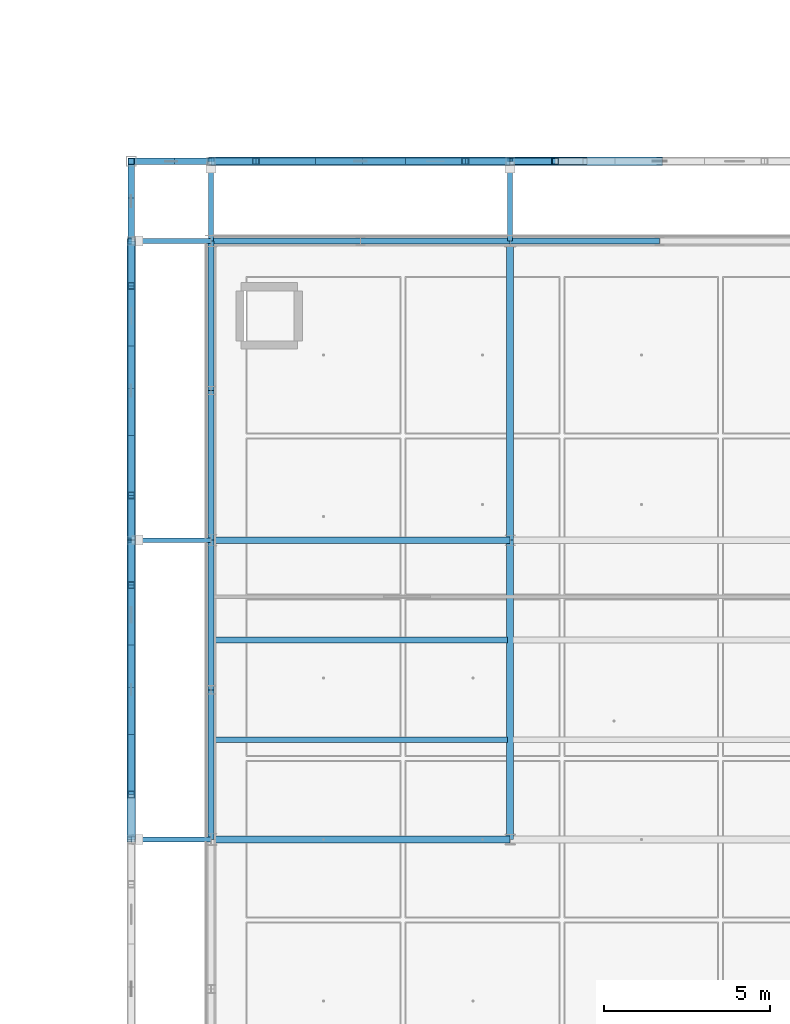
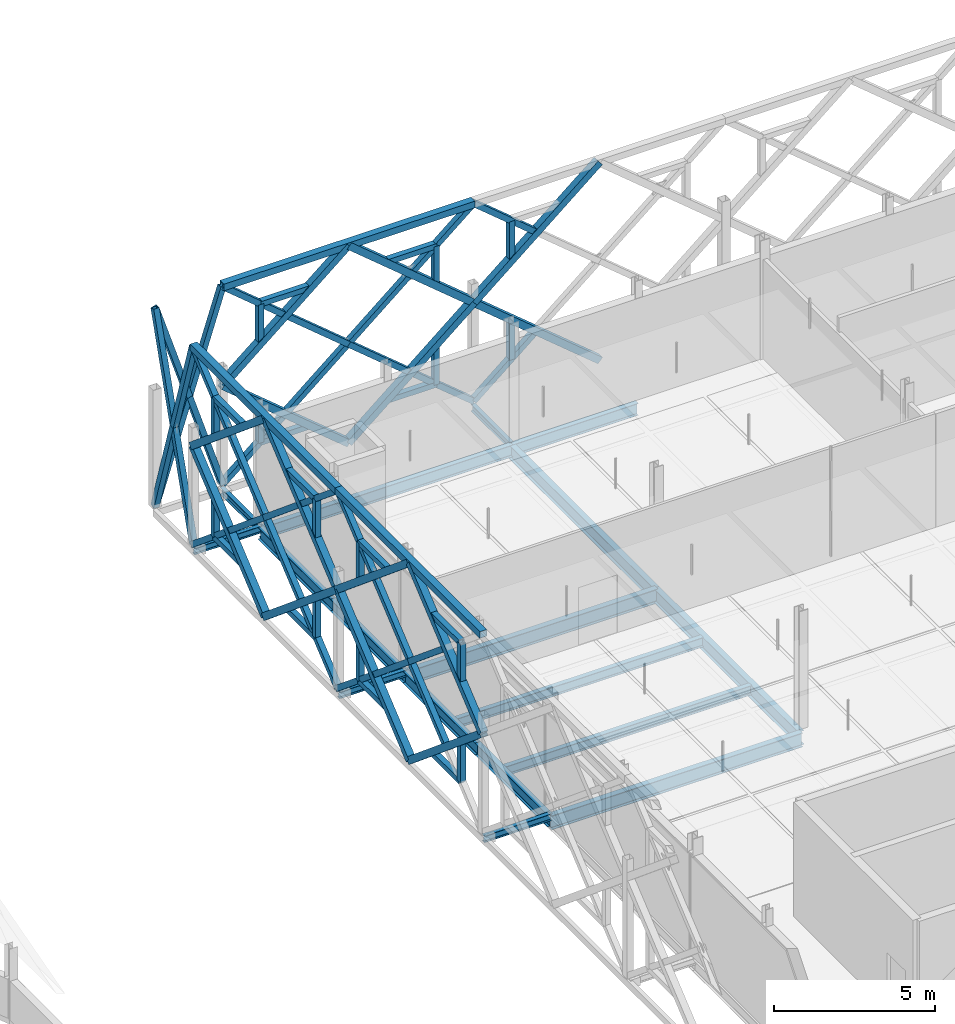
# One storey, part 14 of 66: 70 members, 18 beams.
"""IFC4 building model written with IfcOpenShell, lengths in metres."""

import ifcopenshell
import ifcopenshell.guid

model = None  # the IFC model being written
_history = None  # IfcOwnerHistory: only IFC2X3 demands one
_inside = {}  # id of a spatial element -> (the spatial element, [elements in it])
_under = {}  # id of a project, library or spatial element -> (it, [spatial elements below it])
_declared = {}  # id of a project -> (the project, [libraries it declares])
_typed = {}  # id of a type object -> (the type object, [elements of that type])
_made_of = {}  # id of a material, layer set ... -> (it, [elements and type objects made of it])


def new_model(schema):
    """Start an empty IFC model of exactly this schema.

    Asked for "IFC4X3", IfcOpenShell would pick the latest addendum, in which some entities
    have other attributes; the version numbers below select the first issue.
    IFC2X3 requires an IfcOwnerHistory on every rooted entity: one is made here for all.
    """
    global model, _history
    if schema == "IFC4X3":
        model = ifcopenshell.file(schema_version=(4, 3, 0, 0))
    else:
        model = ifcopenshell.file(schema=schema)
    _inside.clear()
    _under.clear()
    _declared.clear()
    _typed.clear()
    _made_of.clear()
    _history = None
    if model.schema == "IFC2X3":
        org = make("IfcOrganization", Name="unknown")
        user = make(
            "IfcPersonAndOrganization",
            ThePerson=make("IfcPerson", FamilyName="unknown"),
            TheOrganization=org,
        )
        app = make(
            "IfcApplication",
            ApplicationDeveloper=org,
            Version="unknown",
            ApplicationFullName="unknown",
            ApplicationIdentifier="unknown",
        )
        _history = make(
            "IfcOwnerHistory",
            OwningUser=user,
            OwningApplication=app,
            ChangeAction="ADDED",
            CreationDate=0,
        )
    return model


def make(cls, **values):
    """One entity of the class cls with the attributes given. An attribute that is None is left unset."""
    return model.create_entity(
        cls, **{name: value for name, value in values.items() if value is not None}
    )


def rooted(cls, **values):
    """An entity with a GlobalId (a new one), such as an element, a storey or a relation."""
    return make(cls, GlobalId=ifcopenshell.guid.new(), OwnerHistory=_history, **values)


def si_unit(unit_type, name, prefix=None):
    """IfcSIUnit, for example si_unit("LENGTHUNIT", "METRE", prefix="MILLI")."""
    return make("IfcSIUnit", UnitType=unit_type, Prefix=prefix, Name=name)


def assignment(units):
    """IfcUnitAssignment: the units of a project."""
    return None if units is None else make("IfcUnitAssignment", Units=units)


def point(xyz):
    """IfcCartesianPoint."""
    return None if xyz is None else make("IfcCartesianPoint", Coordinates=xyz)


def direction(xyz):
    """IfcDirection."""
    return None if xyz is None else make("IfcDirection", DirectionRatios=xyz)


def frame(location, z_axis=None, x_axis=None):
    """IfcAxis2Placement3D, a coordinate frame: its origin and axes. An axis left out is left unset."""
    return make(
        "IfcAxis2Placement3D",
        Location=point(location),
        Axis=direction(z_axis),
        RefDirection=direction(x_axis),
    )


def frame_2d(location, x_axis=None):
    """IfcAxis2Placement2D, a coordinate frame in the plane: its origin and x axis."""
    return make(
        "IfcAxis2Placement2D", Location=point(location), RefDirection=direction(x_axis)
    )


def origin():
    """The frame at (0, 0, 0) with its axes left unset."""
    return frame((0.0, 0.0, 0.0))


def origin_2d():
    """The frame at (0, 0) in the plane with its x axis left unset."""
    return frame_2d((0.0, 0.0))


def place(relative_to, where):
    """IfcLocalPlacement: puts the frame where relative to a parent placement (None: the world)."""
    return make(
        "IfcLocalPlacement", PlacementRelTo=relative_to, RelativePlacement=where
    )


def context(
    kind, dimensions, precision=None, world=None, true_north=None, identifier=None
):
    """IfcGeometricRepresentationContext, for example the 3D "Model" context."""
    return make(
        "IfcGeometricRepresentationContext",
        ContextIdentifier=identifier,
        ContextType=kind,
        CoordinateSpaceDimension=dimensions,
        Precision=precision,
        WorldCoordinateSystem=world,
        TrueNorth=true_north,
    )


def subcontext(parent, identifier, kind, view, scale=None):
    """IfcGeometricRepresentationSubContext, for example "Body" below "Model"."""
    return make(
        "IfcGeometricRepresentationSubContext",
        ContextIdentifier=identifier,
        ContextType=kind,
        ParentContext=parent,
        TargetScale=scale,
        TargetView=view,
    )


def project(units=None, contexts=None):
    """IfcProject with its units and contexts."""
    return rooted(
        "IfcProject",
        Name="project",
        RepresentationContexts=contexts,
        UnitsInContext=assignment(units),
    )


def spatial(cls, under=None, at=None, **own):
    """A site, building, storey or space (cls), placed at a placement, below another one or the project."""
    s = rooted(cls, ObjectPlacement=at, **own)
    if under is not None:
        _under.setdefault(under.id(), (under, []))[1].append(s)
    return s


def profile(cls, at=None, kind="AREA", **sizes):
    """A parametric profile (cls). Its sizes go by their IFC names, for example OverallWidth=200.0."""
    return make(cls, ProfileType=kind, Position=at, **sizes)


def hollow_rectangle(**sizes):
    """IfcRectangleHollowProfileDef."""
    return profile("IfcRectangleHollowProfileDef", **sizes)


def i_section(**sizes):
    """IfcIShapeProfileDef."""
    return profile("IfcIShapeProfileDef", **sizes)


def extrude(swept, where, along, depth):
    """IfcExtrudedAreaSolid: the profile swept, set in the frame where, extruded along a direction by depth."""
    return make(
        "IfcExtrudedAreaSolid",
        SweptArea=swept,
        Position=where,
        ExtrudedDirection=direction(along),
        Depth=depth,
    )


def shape(context_of_items, identifier, shape_type, items):
    """IfcShapeRepresentation: the items that make up one representation, for example the "Body"."""
    return make(
        "IfcShapeRepresentation",
        ContextOfItems=context_of_items,
        RepresentationIdentifier=identifier,
        RepresentationType=shape_type,
        Items=items,
    )


def material(Name=None, Category=None):
    """IfcMaterial."""
    return make("IfcMaterial", Name=Name, Category=Category)


def material_profile(
    of_material, cross_section, Name=None, Category=None, Priority=None
):
    """IfcMaterialProfile: a cross section and its material."""
    return make(
        "IfcMaterialProfile",
        Name=Name,
        Material=of_material,
        Profile=cross_section,
        Priority=Priority,
        Category=Category,
    )


def profile_set(profiles, Name=None, composite=None):
    """IfcMaterialProfileSet."""
    return make(
        "IfcMaterialProfileSet",
        Name=Name,
        MaterialProfiles=profiles,
        CompositeProfile=composite,
    )


def made_of(thing, what):
    """Note that an element or type object is made of a material, layer set ...; save() writes the relation."""
    if what is not None:
        _made_of.setdefault(what.id(), (what, []))[1].append(thing)
    return thing


def type_object(cls, material=None, **own):
    """A type object (cls), such as IfcWallType, which elements share."""
    return made_of(rooted(cls, **own), material)


def element(
    cls,
    number,
    at=None,
    inside=None,
    cuts=None,
    type_object=None,
    material=None,
    context=None,
    identifier="Body",
    shape_type=None,
    held_by="IfcProductDefinitionShape",
    body=None,
    shapes=None,
    **own,
):
    """One element of the class cls, such as IfcWall. Its Tag is "e" and its number.

    at: its placement. inside: the storey or other place that contains it. cuts: it is an
    opening in that element (IfcRelVoidsElement). A single representation is given by context,
    identifier, shape_type and body (its items); several are given by shapes. held_by: the class
    of the entity that holds the representations. save() writes the other relations.
    """
    e = rooted(cls, Tag="e%d" % number, ObjectPlacement=at, **own)
    if body is not None:
        shapes = [shape(context, identifier, shape_type, body)]
    if shapes is not None:
        e.Representation = make(held_by, Representations=shapes)
    if inside is not None:
        _inside.setdefault(inside.id(), (inside, []))[1].append(e)
    if cuts is not None:
        rooted(
            "IfcRelVoidsElement", RelatingBuildingElement=cuts, RelatedOpeningElement=e
        )
    if type_object is not None:
        _typed.setdefault(type_object.id(), (type_object, []))[1].append(e)
    return made_of(e, material)


def aggregate(whole, parts):
    """IfcRelAggregates: a whole, such as a stair, and the parts it consists of."""
    return rooted("IfcRelAggregates", RelatingObject=whole, RelatedObjects=parts)


def save(model, path):
    """Write the relations noted so far, then the file.

    IfcRelAggregates (storeys below a building ...), IfcRelContainedInSpatialStructure (elements
    in a storey), IfcRelDefinesByType, IfcRelAssociatesMaterial and IfcRelDeclares: one each for
    every whole, place, type object, material and project.
    """
    for whole, parts in _under.values():
        aggregate(whole, parts)
    for where, things in _inside.values():
        rooted(
            "IfcRelContainedInSpatialStructure",
            RelatedElements=things,
            RelatingStructure=where,
        )
    for kind, things in _typed.values():
        rooted("IfcRelDefinesByType", RelatedObjects=things, RelatingType=kind)
    for what, things in _made_of.values():
        rooted("IfcRelAssociatesMaterial", RelatedObjects=things, RelatingMaterial=what)
    for by, libraries in _declared.values():
        rooted("IfcRelDeclares", RelatingContext=by, RelatedDefinitions=libraries)
    model.write(path)


model = new_model("IFC4")

# Units and contexts
model_context = context("Model", 3, precision=1e-05, world=origin(), true_north=direction((0.0, 1.0)))
body_context = subcontext(model_context, "Body", "Model", "MODEL_VIEW")
ifc_project = project(units=[si_unit("LENGTHUNIT", "METRE"), si_unit("AREAUNIT", "SQUARE_METRE"), si_unit("VOLUMEUNIT", "CUBIC_METRE"), si_unit("PLANEANGLEUNIT", "RADIAN"), si_unit("MASSUNIT", "GRAM", prefix="KILO"), si_unit("THERMODYNAMICTEMPERATUREUNIT", "KELVIN"), si_unit("POWERUNIT", "WATT")], contexts=[model_context])

# Site, building, storey
site_placement = place(None, origin())
site = spatial("IfcSite", under=ifc_project, at=site_placement, CompositionType="ELEMENT")
building_placement = place(site_placement, origin())
building = spatial("IfcBuilding", under=site, at=building_placement, Name="Tallowbark Science Centre", CompositionType="ELEMENT")
storey_placement = place(building_placement, frame((0.0, 0.0, 18.89990234375)))
storey = spatial("IfcBuildingStorey", under=building, at=storey_placement, Name="L04", CompositionType="ELEMENT", Elevation=18.89990234375)

# Beams
ifc_material_1 = material(Name="White Architectural Painted Steel Grade C350L0 (350 MPa)", Category="steel")
ifc_material_profile_1 = material_profile(ifc_material_1, i_section(OverallWidth=0.146484375, OverallDepth=0.256103515625, WebThickness=0.00634765625, FlangeThickness=0.010986328125, FilletRadius=0.0087890625, at=origin_2d()), Name="250UB37.3")
ifc_profile_set_1 = profile_set([ifc_material_profile_1], Name="White Architectural Painted Steel Grade C350L0 (350 MPa)")
beam_type_1 = type_object("IfcBeamType", Name="BM-OUT250", PredefinedType="BEAM", material=ifc_profile_set_1)
for number, where, z_axis, x_axis, name in (
    (1, (58.5, 40.5, -0.25), (0.0, 1.0, 0.0), (-1.0, 0.0, 0.0), "Star Screen Outrigger Tie Beam N-58"),
    (2, (67.5, 40.5, -0.25), (0.0, 1.0, 0.0), (-1.0, 0.0, 0.0), "Star Screen Outrigger Tie Beam N-60"),
    (3, (58.5, 22.5, -0.25), (-1.0, 0.0, 0.0), (0.0, -1.0, 0.0), "Star Screen Outrigger Tie Beam W-73"),
    (4, (58.5, 31.5, -0.25), (-1.0, 0.0, 0.0), (0.0, -1.0, 0.0), "Star Screen Outrigger Tie Beam W-75"),
    (5, (58.5, 40.5, -0.25), (-1.0, 0.0, 0.0), (0.0, -1.0, 0.0), "Star Screen Outrigger Tie Beam W-77"),
):
    element("IfcBeam", number, at=place(storey_placement, frame(where, z_axis=z_axis, x_axis=x_axis)), inside=storey, type_object=beam_type_1, Name=name, PredefinedType="BEAM", context=body_context, shape_type="SweptSolid", body=[
        extrude(i_section(OverallWidth=0.146484375, OverallDepth=0.256103515625, WebThickness=0.00634765625, FlangeThickness=0.010986328125, FilletRadius=0.0087890625, at=origin_2d()), origin(), (0.0, 0.0, 1.0), 2.39990234375),
    ])
ifc_material_2 = material(Name="Structural Steel Grade 300PLUS (300 MPa)", Category="steel")
ifc_material_profile_2 = material_profile(ifc_material_2, i_section(OverallWidth=0.208984375, OverallDepth=0.532958984375, WebThickness=0.01025390625, FlangeThickness=0.015625, FilletRadius=0.013916015625, at=origin_2d()), Name="530UB92.4")
ifc_profile_set_2 = profile_set([ifc_material_profile_2], Name="Structural Steel Grade 300PLUS (300 MPa)")
beam_type_2 = type_object("IfcBeamType", Name="BM-UB530A", PredefinedType="BEAM", material=ifc_profile_set_2)
for number, where, z_axis, x_axis, name in (
    (6, (58.5, 22.5, -0.4462890625), (1.0, 0.0, 0.0), (0.0, 1.0, 0.0), "Primary Girder GRDX-L04-585-675-225"),
    (7, (58.5, 31.5, -0.4462890625), (1.0, 0.0, 0.0), (0.0, 1.0, 0.0), "Primary Girder GRDX-L04-585-675-315"),
):
    element("IfcBeam", number, at=place(storey_placement, frame(where, z_axis=z_axis, x_axis=x_axis)), inside=storey, type_object=beam_type_2, Name=name, PredefinedType="BEAM", context=body_context, shape_type="SweptSolid", body=[
        extrude(i_section(OverallWidth=0.208984375, OverallDepth=0.532958984375, WebThickness=0.01025390625, FlangeThickness=0.015625, FilletRadius=0.013916015625, at=origin_2d()), origin(), (0.0, 0.0, 1.0), 9.0),
    ])
ifc_material_profile_3 = material_profile(ifc_material_2, i_section(OverallWidth=0.208740234375, OverallDepth=0.5283203125, WebThickness=0.009521484375, FlangeThickness=0.01318359375, FilletRadius=0.013916015625, at=origin_2d()), Name="530UB82.0")
ifc_profile_set_3 = profile_set([ifc_material_profile_3], Name="Structural Steel Grade 300PLUS (300 MPa)")
beam_type_3 = type_object("IfcBeamType", Name="BM-UB530B", PredefinedType="BEAM", material=ifc_profile_set_3)
for number, where, z_axis, x_axis, name in (
    (8, (67.5, 22.5, -0.444091796875), (0.0, 1.0, 0.0), (-1.0, 0.0, 0.0), "Primary Girder GRDY-L04-675-225-315"),
    (9, (67.5, 31.5, -0.444091796875), (0.0, 1.0, 0.0), (-1.0, 0.0, 0.0), "Primary Girder GRDY-L04-675-315-405"),
):
    element("IfcBeam", number, at=place(storey_placement, frame(where, z_axis=z_axis, x_axis=x_axis)), inside=storey, type_object=beam_type_3, Name=name, PredefinedType="BEAM", context=body_context, shape_type="SweptSolid", body=[
        extrude(i_section(OverallWidth=0.208740234375, OverallDepth=0.5283203125, WebThickness=0.009521484375, FlangeThickness=0.01318359375, FilletRadius=0.013916015625, at=origin_2d()), origin(), (0.0, 0.0, 1.0), 9.0),
    ])
ifc_material_profile_4 = material_profile(ifc_material_2, i_section(OverallWidth=0.172119140625, OverallDepth=0.358642578125, WebThickness=0.008056640625, FlangeThickness=0.012939453125, FilletRadius=0.011474609375, at=origin_2d()), Name="360UB56.7")
ifc_profile_set_4 = profile_set([ifc_material_profile_4], Name="Structural Steel Grade 300PLUS (300 MPa)")
beam_type_4 = type_object("IfcBeamType", Name="JST-UB360", PredefinedType="JOIST", material=ifc_profile_set_4)
for number, where, z_axis, x_axis, name in (
    (10, (58.5849609375, 25.5, -0.359130859375), (1.0, 0.0, 0.0), (0.0, 1.0, 0.0), "Composite Floor Joist JSTX-L04-585-255"),
    (11, (58.5849609375, 28.5, -0.359130859375), (1.0, 0.0, 0.0), (0.0, 1.0, 0.0), "Composite Floor Joist JSTX-L04-585-285"),
):
    element("IfcBeam", number, at=place(storey_placement, frame(where, z_axis=z_axis, x_axis=x_axis)), inside=storey, type_object=beam_type_4, Name=name, PredefinedType="JOIST", context=body_context, shape_type="SweptSolid", body=[
        extrude(i_section(OverallWidth=0.172119140625, OverallDepth=0.358642578125, WebThickness=0.008056640625, FlangeThickness=0.012939453125, FilletRadius=0.011474609375, at=origin_2d()), origin(), (0.0, 0.0, 1.0), 8.830078125),
    ])

# Members
ifc_material_profile_5 = material_profile(ifc_material_1, hollow_rectangle(XDim=0.25, YDim=0.25, WallThickness=0.009033203125, at=origin_2d()), Name="250x250x9.0SHS")
ifc_profile_set_5 = profile_set([ifc_material_profile_5], Name="White Architectural Painted Steel Grade C350L0 (350 MPa)")
member_type_1 = type_object("IfcMemberType", Name="SCR-CHD200", PredefinedType="CHORD", material=ifc_profile_set_5)
member_1_placement = place(storey_placement, frame((58.5, 42.89990234375, 7.5), z_axis=(1.0, 0.0, 0.0), x_axis=(0.0, 1.0, 0.0)))
element("IfcMember", 12, at=member_1_placement, inside=storey, type_object=member_type_1, Name="Star Screen Frame Chord N-37", PredefinedType="CHORD", context=body_context, shape_type="SweptSolid", body=[
    extrude(hollow_rectangle(XDim=0.25, YDim=0.25, WallThickness=0.009033203125, at=origin_2d()), origin(), (0.0, 0.0, 1.0), 9.0),
])
for number, where, z_axis, x_axis, name in (
    (13, (63.0, 42.89990234375, 0.0), (0.768221279597, 0.0, 0.640184399664), (0.0, 1.0, 0.0), "Star Screen Octagram Diamond Chord N-37-1"),
    (14, (67.5, 42.89990234375, 3.75), (-0.768221279597, 0.0, 0.640184399664), (0.0, -1.0, 0.0), "Star Screen Octagram Diamond Chord N-37-2"),
    (15, (63.0, 42.89990234375, 7.5), (-0.768221279597, 0.0, -0.640184399664), (0.0, -1.0, 0.0), "Star Screen Octagram Diamond Chord N-37-3"),
    (16, (58.5, 42.89990234375, 3.75), (0.768221279597, 0.0, -0.640184399664), (0.0, 1.0, 0.0), "Star Screen Octagram Diamond Chord N-37-4"),
    (17, (72.0, 42.89990234375, 7.5), (-0.768221279597, 0.0, -0.640184399664), (0.0, -1.0, 0.0), "Star Screen Octagram Diamond Chord N-39-3"),
    (18, (67.5, 42.89990234375, 3.75), (0.768221279597, 0.0, -0.640184399664), (0.0, 1.0, 0.0), "Star Screen Octagram Diamond Chord N-39-4"),
):
    element("IfcMember", number, at=place(storey_placement, frame(where, z_axis=z_axis, x_axis=x_axis)), inside=storey, type_object=member_type_1, Name=name, PredefinedType="CHORD", context=body_context, shape_type="SweptSolid", body=[
        extrude(hollow_rectangle(XDim=0.25, YDim=0.25, WallThickness=0.009033203125, at=origin_2d()), origin(), (0.0, 0.0, 1.0), 5.857666015625),
    ])
member_2_placement = place(storey_placement, frame((56.10009765625, 22.5, 7.5), z_axis=(0.0, 1.0, 0.0), x_axis=(-1.0, 0.0, 0.0)))
element("IfcMember", 19, at=member_2_placement, inside=storey, type_object=member_type_1, Name="Star Screen Frame Chord W-50", PredefinedType="CHORD", context=body_context, shape_type="SweptSolid", body=[
    extrude(hollow_rectangle(XDim=0.25, YDim=0.25, WallThickness=0.009033203125, at=origin_2d()), origin(), (0.0, 0.0, 1.0), 9.0),
])
for number, where, z_axis, x_axis, name in (
    (20, (56.10009765625, 27.0, 0.0), (0.0, 0.768221279597, 0.640184399664), (-1.0, 0.0, 0.0), "Star Screen Octagram Diamond Chord W-50-1"),
    (21, (56.10009765625, 31.5, 3.75), (0.0, -0.768221279597, 0.640184399664), (1.0, 0.0, 0.0), "Star Screen Octagram Diamond Chord W-50-2"),
    (22, (56.10009765625, 27.0, 7.5), (0.0, -0.768221279597, -0.640184399664), (1.0, 0.0, 0.0), "Star Screen Octagram Diamond Chord W-50-3"),
    (23, (56.10009765625, 22.5, 3.75), (0.0, 0.768221279597, -0.640184399664), (-1.0, 0.0, 0.0), "Star Screen Octagram Diamond Chord W-50-4"),
):
    element("IfcMember", number, at=place(storey_placement, frame(where, z_axis=z_axis, x_axis=x_axis)), inside=storey, type_object=member_type_1, Name=name, PredefinedType="CHORD", context=body_context, shape_type="SweptSolid", body=[
        extrude(hollow_rectangle(XDim=0.25, YDim=0.25, WallThickness=0.009033203125, at=origin_2d()), origin(), (0.0, 0.0, 1.0), 5.857666015625),
    ])
member_3_placement = place(storey_placement, frame((56.10009765625, 31.5, 7.5), z_axis=(0.0, 1.0, 0.0), x_axis=(-1.0, 0.0, 0.0)))
element("IfcMember", 24, at=member_3_placement, inside=storey, type_object=member_type_1, Name="Star Screen Frame Chord W-52", PredefinedType="CHORD", context=body_context, shape_type="SweptSolid", body=[
    extrude(hollow_rectangle(XDim=0.25, YDim=0.25, WallThickness=0.009033203125, at=origin_2d()), origin(), (0.0, 0.0, 1.0), 9.0),
])
for number, where, z_axis, x_axis, name in (
    (25, (56.10009765625, 36.0, 0.0), (0.0, 0.768221279597, 0.640184399664), (-1.0, 0.0, 0.0), "Star Screen Octagram Diamond Chord W-52-1"),
    (26, (56.10009765625, 40.5, 3.75), (0.0, -0.768221279597, 0.640184399664), (1.0, 0.0, 0.0), "Star Screen Octagram Diamond Chord W-52-2"),
    (27, (56.10009765625, 36.0, 7.5), (0.0, -0.768221279597, -0.640184399664), (1.0, 0.0, 0.0), "Star Screen Octagram Diamond Chord W-52-3"),
    (28, (56.10009765625, 31.5, 3.75), (0.0, 0.768221279597, -0.640184399664), (-1.0, 0.0, 0.0), "Star Screen Octagram Diamond Chord W-52-4"),
):
    element("IfcMember", number, at=place(storey_placement, frame(where, z_axis=z_axis, x_axis=x_axis)), inside=storey, type_object=member_type_1, Name=name, PredefinedType="CHORD", context=body_context, shape_type="SweptSolid", body=[
        extrude(hollow_rectangle(XDim=0.25, YDim=0.25, WallThickness=0.009033203125, at=origin_2d()), origin(), (0.0, 0.0, 1.0), 5.857666015625),
    ])
ifc_material_profile_6 = material_profile(ifc_material_1, hollow_rectangle(XDim=0.199951171875, YDim=0.199951171875, WallThickness=0.009033203125, at=origin_2d()), Name="200x200x9.0SHS")
ifc_profile_set_6 = profile_set([ifc_material_profile_6], Name="White Architectural Painted Steel Grade C350L0 (350 MPa)")
member_type_2 = type_object("IfcMemberType", Name="SCR-STAR139", PredefinedType="BRACE", material=ifc_profile_set_6)
member_4_placement = place(storey_placement, frame((58.5, 42.89990234375, 0.0), z_axis=(0.768221279597, 0.0, 0.640184399664), x_axis=(0.0, 1.0, 0.0)))
element("IfcMember", 29, at=member_4_placement, inside=storey, type_object=member_type_2, Name="Star Screen Continuous X-Diagonal D1A N-37", PredefinedType="BRACE", context=body_context, shape_type="SweptSolid", body=[
    extrude(hollow_rectangle(XDim=0.199951171875, YDim=0.199951171875, WallThickness=0.009033203125, at=origin_2d()), origin(), (0.0, 0.0, 1.0), 2.928955078125),
])
member_5_placement = place(storey_placement, frame((60.75, 42.89990234375, 1.875), z_axis=(0.768221279597, 0.0, 0.640184399664), x_axis=(0.0, 1.0, 0.0)))
element("IfcMember", 30, at=member_5_placement, inside=storey, type_object=member_type_2, Name="Star Screen Continuous X-Diagonal D1M N-37", PredefinedType="BRACE", context=body_context, shape_type="SweptSolid", body=[
    extrude(hollow_rectangle(XDim=0.199951171875, YDim=0.199951171875, WallThickness=0.009033203125, at=origin_2d()), origin(), (0.0, 0.0, 1.0), 5.857666015625),
])
for number, where, z_axis, x_axis, name in (
    (31, (65.25, 42.89990234375, 5.625), (0.768221279597, 0.0, 0.640184399664), (0.0, 1.0, 0.0), "Star Screen Continuous X-Diagonal D1B N-37"),
    (32, (58.5, 42.89990234375, 7.5), (0.768221279597, 0.0, -0.640184399664), (0.0, 1.0, 0.0), "Star Screen Split X-Diagonal D2A N-37"),
    (33, (60.75, 42.89990234375, 5.625), (0.768221279597, 0.0, -0.640184399664), (0.0, 1.0, 0.0), "Star Screen Split X-Diagonal D2B N-37"),
    (34, (63.0, 42.89990234375, 3.75), (0.768221279597, 0.0, -0.640184399664), (0.0, 1.0, 0.0), "Star Screen Split X-Diagonal D2C N-37"),
    (35, (65.25, 42.89990234375, 1.875), (0.768221279597, 0.0, -0.640184399664), (0.0, 1.0, 0.0), "Star Screen Split X-Diagonal D2D N-37"),
    (36, (67.5, 42.89990234375, 0.0), (0.768221279597, 0.0, 0.640184399664), (0.0, 1.0, 0.0), "Star Screen Continuous X-Diagonal D1A N-39"),
    (37, (67.5, 42.89990234375, 7.5), (0.768221279597, 0.0, -0.640184399664), (0.0, 1.0, 0.0), "Star Screen Split X-Diagonal D2A N-39"),
):
    element("IfcMember", number, at=place(storey_placement, frame(where, z_axis=z_axis, x_axis=x_axis)), inside=storey, type_object=member_type_2, Name=name, PredefinedType="BRACE", context=body_context, shape_type="SweptSolid", body=[
        extrude(hollow_rectangle(XDim=0.199951171875, YDim=0.199951171875, WallThickness=0.009033203125, at=origin_2d()), origin(), (0.0, 0.0, 1.0), 2.928955078125),
    ])
member_6_placement = place(storey_placement, frame((56.10009765625, 24.75, 1.875), z_axis=(0.0, 0.768221279597, 0.640184399664), x_axis=(-1.0, 0.0, 0.0)))
element("IfcMember", 38, at=member_6_placement, inside=storey, type_object=member_type_2, Name="Star Screen Continuous X-Diagonal D1M W-50", PredefinedType="BRACE", context=body_context, shape_type="SweptSolid", body=[
    extrude(hollow_rectangle(XDim=0.199951171875, YDim=0.199951171875, WallThickness=0.009033203125, at=origin_2d()), origin(), (0.0, 0.0, 1.0), 5.857666015625),
])
for number, where, z_axis, x_axis, name in (
    (39, (56.10009765625, 29.25, 5.625), (0.0, 0.768221279597, 0.640184399664), (-1.0, 0.0, 0.0), "Star Screen Continuous X-Diagonal D1B W-50"),
    (40, (56.10009765625, 24.75, 5.625), (0.0, 0.768221279597, -0.640184399664), (-1.0, 0.0, 0.0), "Star Screen Split X-Diagonal D2B W-50"),
    (41, (56.10009765625, 27.0, 3.75), (0.0, 0.768221279597, -0.640184399664), (-1.0, 0.0, 0.0), "Star Screen Split X-Diagonal D2C W-50"),
    (42, (56.10009765625, 29.25, 1.875), (0.0, 0.768221279597, -0.640184399664), (-1.0, 0.0, 0.0), "Star Screen Split X-Diagonal D2D W-50"),
    (43, (56.10009765625, 31.5, 0.0), (0.0, 0.768221279597, 0.640184399664), (-1.0, 0.0, 0.0), "Star Screen Continuous X-Diagonal D1A W-52"),
):
    element("IfcMember", number, at=place(storey_placement, frame(where, z_axis=z_axis, x_axis=x_axis)), inside=storey, type_object=member_type_2, Name=name, PredefinedType="BRACE", context=body_context, shape_type="SweptSolid", body=[
        extrude(hollow_rectangle(XDim=0.199951171875, YDim=0.199951171875, WallThickness=0.009033203125, at=origin_2d()), origin(), (0.0, 0.0, 1.0), 2.928955078125),
    ])
member_7_placement = place(storey_placement, frame((56.10009765625, 33.75, 1.875), z_axis=(0.0, 0.768221279597, 0.640184399664), x_axis=(-1.0, 0.0, 0.0)))
element("IfcMember", 44, at=member_7_placement, inside=storey, type_object=member_type_2, Name="Star Screen Continuous X-Diagonal D1M W-52", PredefinedType="BRACE", context=body_context, shape_type="SweptSolid", body=[
    extrude(hollow_rectangle(XDim=0.199951171875, YDim=0.199951171875, WallThickness=0.009033203125, at=origin_2d()), origin(), (0.0, 0.0, 1.0), 5.857666015625),
])
for number, where, z_axis, x_axis, name in (
    (45, (56.10009765625, 38.25, 5.625), (0.0, 0.768221279597, 0.640184399664), (-1.0, 0.0, 0.0), "Star Screen Continuous X-Diagonal D1B W-52"),
    (46, (56.10009765625, 31.5, 7.5), (0.0, 0.768221279597, -0.640184399664), (-1.0, 0.0, 0.0), "Star Screen Split X-Diagonal D2A W-52"),
    (47, (56.10009765625, 33.75, 5.625), (0.0, 0.768221279597, -0.640184399664), (-1.0, 0.0, 0.0), "Star Screen Split X-Diagonal D2B W-52"),
    (48, (56.10009765625, 36.0, 3.75), (0.0, 0.768221279597, -0.640184399664), (-1.0, 0.0, 0.0), "Star Screen Split X-Diagonal D2C W-52"),
    (49, (56.10009765625, 38.25, 1.875), (0.0, 0.768221279597, -0.640184399664), (-1.0, 0.0, 0.0), "Star Screen Split X-Diagonal D2D W-52"),
):
    element("IfcMember", number, at=place(storey_placement, frame(where, z_axis=z_axis, x_axis=x_axis)), inside=storey, type_object=member_type_2, Name=name, PredefinedType="BRACE", context=body_context, shape_type="SweptSolid", body=[
        extrude(hollow_rectangle(XDim=0.199951171875, YDim=0.199951171875, WallThickness=0.009033203125, at=origin_2d()), origin(), (0.0, 0.0, 1.0), 2.928955078125),
    ])
member_8_placement = place(storey_placement, frame((56.10009765625, 42.89990234375, 0.0), z_axis=(0.304764477624, 0.0, 0.95242774696), x_axis=(0.0, 1.0, 0.0)))
element("IfcMember", 50, at=member_8_placement, inside=storey, type_object=member_type_2, Name="Star Screen Corner Continuous Diagonal NWX-L04", PredefinedType="BRACE", context=body_context, shape_type="SweptSolid", body=[
    extrude(hollow_rectangle(XDim=0.199951171875, YDim=0.199951171875, WallThickness=0.009033203125, at=origin_2d()), origin(), (0.0, 0.0, 1.0), 7.87451171875),
])
for number, where, z_axis, x_axis, name in (
    (51, (58.5, 42.89990234375, 0.0), (-0.304764477624, 0.0, 0.95242774696), (0.0, -1.0, 0.0), "Star Screen Corner Split Diagonal A NWX-L04"),
    (52, (57.300048828125, 42.89990234375, 3.75), (-0.304764477624, 0.0, 0.95242774696), (0.0, -1.0, 0.0), "Star Screen Corner Split Diagonal B NWX-L04"),
):
    element("IfcMember", number, at=place(storey_placement, frame(where, z_axis=z_axis, x_axis=x_axis)), inside=storey, type_object=member_type_2, Name=name, PredefinedType="BRACE", context=body_context, shape_type="SweptSolid", body=[
        extrude(hollow_rectangle(XDim=0.199951171875, YDim=0.199951171875, WallThickness=0.009033203125, at=origin_2d()), origin(), (0.0, 0.0, 1.0), 3.937255859375),
    ])
member_9_placement = place(storey_placement, frame((56.10009765625, 40.5, 0.0), z_axis=(0.0, 0.304764477624, 0.95242774696), x_axis=(-1.0, 0.0, 0.0)))
element("IfcMember", 53, at=member_9_placement, inside=storey, type_object=member_type_2, Name="Star Screen Corner Continuous Diagonal NWY-L04", PredefinedType="BRACE", context=body_context, shape_type="SweptSolid", body=[
    extrude(hollow_rectangle(XDim=0.199951171875, YDim=0.199951171875, WallThickness=0.009033203125, at=origin_2d()), origin(), (0.0, 0.0, 1.0), 7.87451171875),
])
for number, where, z_axis, x_axis, name in (
    (54, (56.10009765625, 42.89990234375, 0.0), (0.0, -0.304764477624, 0.95242774696), (1.0, 0.0, 0.0), "Star Screen Corner Split Diagonal A NWY-L04"),
    (55, (56.10009765625, 41.699951171875, 3.75), (0.0, -0.304764477624, 0.95242774696), (1.0, 0.0, 0.0), "Star Screen Corner Split Diagonal B NWY-L04"),
):
    element("IfcMember", number, at=place(storey_placement, frame(where, z_axis=z_axis, x_axis=x_axis)), inside=storey, type_object=member_type_2, Name=name, PredefinedType="BRACE", context=body_context, shape_type="SweptSolid", body=[
        extrude(hollow_rectangle(XDim=0.199951171875, YDim=0.199951171875, WallThickness=0.009033203125, at=origin_2d()), origin(), (0.0, 0.0, 1.0), 3.937255859375),
    ])
ifc_material_profile_7 = material_profile(ifc_material_1, hollow_rectangle(XDim=0.199951171875, YDim=0.199951171875, WallThickness=0.009033203125, at=origin_2d()), Name="200x200x9.0SHS")
ifc_profile_set_7 = profile_set([ifc_material_profile_7], Name="White Architectural Painted Steel Grade C350L0 (350 MPa)")
member_type_3 = type_object("IfcMemberType", Name="SCR-SUB150", PredefinedType="BRACE", material=ifc_profile_set_7)
member_10_placement = place(storey_placement, frame((59.85009765625, 42.89990234375, 1.125), z_axis=(1.0, 0.0, 0.0), x_axis=(0.0, 1.0, 0.0)))
element("IfcMember", 56, at=member_10_placement, inside=storey, type_object=member_type_3, Name="Star Screen Octagram Point Ray N-37-1", PredefinedType="BRACE", context=body_context, shape_type="SweptSolid", body=[
    extrude(hollow_rectangle(XDim=0.199951171875, YDim=0.199951171875, WallThickness=0.009033203125, at=origin_2d()), origin(), (0.0, 0.0, 1.0), 1.7998046875),
])
member_11_placement = place(storey_placement, frame((59.85009765625, 42.89990234375, 1.125), z_axis=(0.0, 0.0, 1.0), x_axis=(1.0, 0.0, 0.0)))
element("IfcMember", 57, at=member_11_placement, inside=storey, type_object=member_type_3, Name="Star Screen Octagram Point Ray N-37-2", PredefinedType="BRACE", context=body_context, shape_type="SweptSolid", body=[
    extrude(hollow_rectangle(XDim=0.199951171875, YDim=0.199951171875, WallThickness=0.009033203125, at=origin_2d()), origin(), (0.0, 0.0, 1.0), 1.5),
])
member_12_placement = place(storey_placement, frame((66.14990234375, 42.89990234375, 1.125), z_axis=(-1.0, 0.0, 0.0), x_axis=(0.0, -1.0, 0.0)))
element("IfcMember", 58, at=member_12_placement, inside=storey, type_object=member_type_3, Name="Star Screen Octagram Point Ray N-37-3", PredefinedType="BRACE", context=body_context, shape_type="SweptSolid", body=[
    extrude(hollow_rectangle(XDim=0.199951171875, YDim=0.199951171875, WallThickness=0.009033203125, at=origin_2d()), origin(), (0.0, 0.0, 1.0), 1.7998046875),
])
member_13_placement = place(storey_placement, frame((66.14990234375, 42.89990234375, 1.125), z_axis=(0.0, 0.0, 1.0), x_axis=(1.0, 0.0, 0.0)))
element("IfcMember", 59, at=member_13_placement, inside=storey, type_object=member_type_3, Name="Star Screen Octagram Point Ray N-37-4", PredefinedType="BRACE", context=body_context, shape_type="SweptSolid", body=[
    extrude(hollow_rectangle(XDim=0.199951171875, YDim=0.199951171875, WallThickness=0.009033203125, at=origin_2d()), origin(), (0.0, 0.0, 1.0), 1.5),
])
member_14_placement = place(storey_placement, frame((66.14990234375, 42.89990234375, 6.375), z_axis=(-1.0, 0.0, 0.0), x_axis=(0.0, -1.0, 0.0)))
element("IfcMember", 60, at=member_14_placement, inside=storey, type_object=member_type_3, Name="Star Screen Octagram Point Ray N-37-5", PredefinedType="BRACE", context=body_context, shape_type="SweptSolid", body=[
    extrude(hollow_rectangle(XDim=0.199951171875, YDim=0.199951171875, WallThickness=0.009033203125, at=origin_2d()), origin(), (0.0, 0.0, 1.0), 1.7998046875),
])
member_15_placement = place(storey_placement, frame((66.14990234375, 42.89990234375, 6.375), z_axis=(0.0, 0.0, -1.0), x_axis=(1.0, 0.0, 0.0)))
element("IfcMember", 61, at=member_15_placement, inside=storey, type_object=member_type_3, Name="Star Screen Octagram Point Ray N-37-6", PredefinedType="BRACE", context=body_context, shape_type="SweptSolid", body=[
    extrude(hollow_rectangle(XDim=0.199951171875, YDim=0.199951171875, WallThickness=0.009033203125, at=origin_2d()), origin(), (0.0, 0.0, 1.0), 1.5),
])
member_16_placement = place(storey_placement, frame((59.85009765625, 42.89990234375, 6.375), z_axis=(1.0, 0.0, 0.0), x_axis=(0.0, 1.0, 0.0)))
element("IfcMember", 62, at=member_16_placement, inside=storey, type_object=member_type_3, Name="Star Screen Octagram Point Ray N-37-7", PredefinedType="BRACE", context=body_context, shape_type="SweptSolid", body=[
    extrude(hollow_rectangle(XDim=0.199951171875, YDim=0.199951171875, WallThickness=0.009033203125, at=origin_2d()), origin(), (0.0, 0.0, 1.0), 1.7998046875),
])
for number, where, z_axis, x_axis, name in (
    (63, (59.85009765625, 42.89990234375, 6.375), (0.0, 0.0, -1.0), (1.0, 0.0, 0.0), "Star Screen Octagram Point Ray N-37-8"),
    (64, (68.85009765625, 42.89990234375, 1.125), (0.0, 0.0, 1.0), (1.0, 0.0, 0.0), "Star Screen Octagram Point Ray N-39-2"),
    (65, (68.85009765625, 42.89990234375, 6.375), (0.0, 0.0, -1.0), (1.0, 0.0, 0.0), "Star Screen Octagram Point Ray N-39-8"),
):
    element("IfcMember", number, at=place(storey_placement, frame(where, z_axis=z_axis, x_axis=x_axis)), inside=storey, type_object=member_type_3, Name=name, PredefinedType="BRACE", context=body_context, shape_type="SweptSolid", body=[
        extrude(hollow_rectangle(XDim=0.199951171875, YDim=0.199951171875, WallThickness=0.009033203125, at=origin_2d()), origin(), (0.0, 0.0, 1.0), 1.5),
    ])
member_17_placement = place(storey_placement, frame((56.10009765625, 23.85009765625, 1.125), z_axis=(0.0, 1.0, 0.0), x_axis=(-1.0, 0.0, 0.0)))
element("IfcMember", 66, at=member_17_placement, inside=storey, type_object=member_type_3, Name="Star Screen Octagram Point Ray W-50-1", PredefinedType="BRACE", context=body_context, shape_type="SweptSolid", body=[
    extrude(hollow_rectangle(XDim=0.199951171875, YDim=0.199951171875, WallThickness=0.009033203125, at=origin_2d()), origin(), (0.0, 0.0, 1.0), 1.7998046875),
])
member_18_placement = place(storey_placement, frame((56.10009765625, 23.85009765625, 1.125), z_axis=(0.0, 0.0, 1.0), x_axis=(1.0, 0.0, 0.0)))
element("IfcMember", 67, at=member_18_placement, inside=storey, type_object=member_type_3, Name="Star Screen Octagram Point Ray W-50-2", PredefinedType="BRACE", context=body_context, shape_type="SweptSolid", body=[
    extrude(hollow_rectangle(XDim=0.199951171875, YDim=0.199951171875, WallThickness=0.009033203125, at=origin_2d()), origin(), (0.0, 0.0, 1.0), 1.5),
])
member_19_placement = place(storey_placement, frame((56.10009765625, 30.14990234375, 1.125), z_axis=(0.0, -1.0, 0.0), x_axis=(1.0, 0.0, 0.0)))
element("IfcMember", 68, at=member_19_placement, inside=storey, type_object=member_type_3, Name="Star Screen Octagram Point Ray W-50-3", PredefinedType="BRACE", context=body_context, shape_type="SweptSolid", body=[
    extrude(hollow_rectangle(XDim=0.199951171875, YDim=0.199951171875, WallThickness=0.009033203125, at=origin_2d()), origin(), (0.0, 0.0, 1.0), 1.7998046875),
])
member_20_placement = place(storey_placement, frame((56.10009765625, 30.14990234375, 1.125), z_axis=(0.0, 0.0, 1.0), x_axis=(1.0, 0.0, 0.0)))
element("IfcMember", 69, at=member_20_placement, inside=storey, type_object=member_type_3, Name="Star Screen Octagram Point Ray W-50-4", PredefinedType="BRACE", context=body_context, shape_type="SweptSolid", body=[
    extrude(hollow_rectangle(XDim=0.199951171875, YDim=0.199951171875, WallThickness=0.009033203125, at=origin_2d()), origin(), (0.0, 0.0, 1.0), 1.5),
])
member_21_placement = place(storey_placement, frame((56.10009765625, 30.14990234375, 6.375), z_axis=(0.0, -1.0, 0.0), x_axis=(1.0, 0.0, 0.0)))
element("IfcMember", 70, at=member_21_placement, inside=storey, type_object=member_type_3, Name="Star Screen Octagram Point Ray W-50-5", PredefinedType="BRACE", context=body_context, shape_type="SweptSolid", body=[
    extrude(hollow_rectangle(XDim=0.199951171875, YDim=0.199951171875, WallThickness=0.009033203125, at=origin_2d()), origin(), (0.0, 0.0, 1.0), 1.7998046875),
])
member_22_placement = place(storey_placement, frame((56.10009765625, 30.14990234375, 6.375), z_axis=(0.0, 0.0, -1.0), x_axis=(1.0, 0.0, 0.0)))
element("IfcMember", 71, at=member_22_placement, inside=storey, type_object=member_type_3, Name="Star Screen Octagram Point Ray W-50-6", PredefinedType="BRACE", context=body_context, shape_type="SweptSolid", body=[
    extrude(hollow_rectangle(XDim=0.199951171875, YDim=0.199951171875, WallThickness=0.009033203125, at=origin_2d()), origin(), (0.0, 0.0, 1.0), 1.5),
])
member_23_placement = place(storey_placement, frame((56.10009765625, 23.85009765625, 6.375), z_axis=(0.0, 1.0, 0.0), x_axis=(-1.0, 0.0, 0.0)))
element("IfcMember", 72, at=member_23_placement, inside=storey, type_object=member_type_3, Name="Star Screen Octagram Point Ray W-50-7", PredefinedType="BRACE", context=body_context, shape_type="SweptSolid", body=[
    extrude(hollow_rectangle(XDim=0.199951171875, YDim=0.199951171875, WallThickness=0.009033203125, at=origin_2d()), origin(), (0.0, 0.0, 1.0), 1.7998046875),
])
member_24_placement = place(storey_placement, frame((56.10009765625, 23.85009765625, 6.375), z_axis=(0.0, 0.0, -1.0), x_axis=(1.0, 0.0, 0.0)))
element("IfcMember", 73, at=member_24_placement, inside=storey, type_object=member_type_3, Name="Star Screen Octagram Point Ray W-50-8", PredefinedType="BRACE", context=body_context, shape_type="SweptSolid", body=[
    extrude(hollow_rectangle(XDim=0.199951171875, YDim=0.199951171875, WallThickness=0.009033203125, at=origin_2d()), origin(), (0.0, 0.0, 1.0), 1.5),
])
member_25_placement = place(storey_placement, frame((56.10009765625, 32.85009765625, 1.125), z_axis=(0.0, 1.0, 0.0), x_axis=(-1.0, 0.0, 0.0)))
element("IfcMember", 74, at=member_25_placement, inside=storey, type_object=member_type_3, Name="Star Screen Octagram Point Ray W-52-1", PredefinedType="BRACE", context=body_context, shape_type="SweptSolid", body=[
    extrude(hollow_rectangle(XDim=0.199951171875, YDim=0.199951171875, WallThickness=0.009033203125, at=origin_2d()), origin(), (0.0, 0.0, 1.0), 1.7998046875),
])
member_26_placement = place(storey_placement, frame((56.10009765625, 32.85009765625, 1.125), z_axis=(0.0, 0.0, 1.0), x_axis=(1.0, 0.0, 0.0)))
element("IfcMember", 75, at=member_26_placement, inside=storey, type_object=member_type_3, Name="Star Screen Octagram Point Ray W-52-2", PredefinedType="BRACE", context=body_context, shape_type="SweptSolid", body=[
    extrude(hollow_rectangle(XDim=0.199951171875, YDim=0.199951171875, WallThickness=0.009033203125, at=origin_2d()), origin(), (0.0, 0.0, 1.0), 1.5),
])
member_27_placement = place(storey_placement, frame((56.10009765625, 39.14990234375, 1.125), z_axis=(0.0, -1.0, 0.0), x_axis=(1.0, 0.0, 0.0)))
element("IfcMember", 76, at=member_27_placement, inside=storey, type_object=member_type_3, Name="Star Screen Octagram Point Ray W-52-3", PredefinedType="BRACE", context=body_context, shape_type="SweptSolid", body=[
    extrude(hollow_rectangle(XDim=0.199951171875, YDim=0.199951171875, WallThickness=0.009033203125, at=origin_2d()), origin(), (0.0, 0.0, 1.0), 1.7998046875),
])
member_28_placement = place(storey_placement, frame((56.10009765625, 39.14990234375, 1.125), z_axis=(0.0, 0.0, 1.0), x_axis=(1.0, 0.0, 0.0)))
element("IfcMember", 77, at=member_28_placement, inside=storey, type_object=member_type_3, Name="Star Screen Octagram Point Ray W-52-4", PredefinedType="BRACE", context=body_context, shape_type="SweptSolid", body=[
    extrude(hollow_rectangle(XDim=0.199951171875, YDim=0.199951171875, WallThickness=0.009033203125, at=origin_2d()), origin(), (0.0, 0.0, 1.0), 1.5),
])
member_29_placement = place(storey_placement, frame((56.10009765625, 39.14990234375, 6.375), z_axis=(0.0, -1.0, 0.0), x_axis=(1.0, 0.0, 0.0)))
element("IfcMember", 78, at=member_29_placement, inside=storey, type_object=member_type_3, Name="Star Screen Octagram Point Ray W-52-5", PredefinedType="BRACE", context=body_context, shape_type="SweptSolid", body=[
    extrude(hollow_rectangle(XDim=0.199951171875, YDim=0.199951171875, WallThickness=0.009033203125, at=origin_2d()), origin(), (0.0, 0.0, 1.0), 1.7998046875),
])
member_30_placement = place(storey_placement, frame((56.10009765625, 39.14990234375, 6.375), z_axis=(0.0, 0.0, -1.0), x_axis=(1.0, 0.0, 0.0)))
element("IfcMember", 79, at=member_30_placement, inside=storey, type_object=member_type_3, Name="Star Screen Octagram Point Ray W-52-6", PredefinedType="BRACE", context=body_context, shape_type="SweptSolid", body=[
    extrude(hollow_rectangle(XDim=0.199951171875, YDim=0.199951171875, WallThickness=0.009033203125, at=origin_2d()), origin(), (0.0, 0.0, 1.0), 1.5),
])
member_31_placement = place(storey_placement, frame((56.10009765625, 32.85009765625, 6.375), z_axis=(0.0, 1.0, 0.0), x_axis=(-1.0, 0.0, 0.0)))
element("IfcMember", 80, at=member_31_placement, inside=storey, type_object=member_type_3, Name="Star Screen Octagram Point Ray W-52-7", PredefinedType="BRACE", context=body_context, shape_type="SweptSolid", body=[
    extrude(hollow_rectangle(XDim=0.199951171875, YDim=0.199951171875, WallThickness=0.009033203125, at=origin_2d()), origin(), (0.0, 0.0, 1.0), 1.7998046875),
])
member_32_placement = place(storey_placement, frame((56.10009765625, 32.85009765625, 6.375), z_axis=(0.0, 0.0, -1.0), x_axis=(1.0, 0.0, 0.0)))
element("IfcMember", 81, at=member_32_placement, inside=storey, type_object=member_type_3, Name="Star Screen Octagram Point Ray W-52-8", PredefinedType="BRACE", context=body_context, shape_type="SweptSolid", body=[
    extrude(hollow_rectangle(XDim=0.199951171875, YDim=0.199951171875, WallThickness=0.009033203125, at=origin_2d()), origin(), (0.0, 0.0, 1.0), 1.5),
])

# Beams
ifc_material_profile_8 = material_profile(ifc_material_2, i_section(OverallWidth=0.18994140625, OverallDepth=0.453857421875, WebThickness=0.008544921875, FlangeThickness=0.0126953125, FilletRadius=0.011474609375, at=origin_2d()), Name="460UB67.1")
ifc_profile_set_8 = profile_set([ifc_material_profile_8], Name="Structural Steel Grade 300PLUS (300 MPa)")
beam_type_5 = type_object("IfcBeamType", Name="SPN-UB460", PredefinedType="SPANDREL", material=ifc_profile_set_8)
for number, where, z_axis, x_axis, name in (
    (82, (58.5, 40.5, -0.40673828125), (1.0, 0.0, 0.0), (0.0, 1.0, 0.0), "Primary Girder GRDX-L04-585-630-405"),
    (83, (63.0, 40.5, -0.40673828125), (1.0, 0.0, 0.0), (0.0, 1.0, 0.0), "Primary Girder GRDX-L04-630-675-405"),
    (84, (67.5, 40.5, -0.40673828125), (1.0, 0.0, 0.0), (0.0, 1.0, 0.0), "Primary Girder GRDX-L04-675-720-405"),
    (85, (58.5, 22.5, -0.40673828125), (0.0, 1.0, 0.0), (-1.0, 0.0, 0.0), "Primary Girder GRDY-L04-585-225-270"),
    (86, (58.5, 27.0, -0.40673828125), (0.0, 1.0, 0.0), (-1.0, 0.0, 0.0), "Primary Girder GRDY-L04-585-270-315"),
    (87, (58.5, 31.5, -0.40673828125), (0.0, 1.0, 0.0), (-1.0, 0.0, 0.0), "Primary Girder GRDY-L04-585-315-360"),
    (88, (58.5, 36.0, -0.40673828125), (0.0, 1.0, 0.0), (-1.0, 0.0, 0.0), "Primary Girder GRDY-L04-585-360-405"),
):
    element("IfcBeam", number, at=place(storey_placement, frame(where, z_axis=z_axis, x_axis=x_axis)), inside=storey, type_object=beam_type_5, Name=name, PredefinedType="SPANDREL", context=body_context, shape_type="SweptSolid", body=[
        extrude(i_section(OverallWidth=0.18994140625, OverallDepth=0.453857421875, WebThickness=0.008544921875, FlangeThickness=0.0126953125, FilletRadius=0.011474609375, at=origin_2d()), origin(), (0.0, 0.0, 1.0), 4.5),
    ])

save(model, "model.ifc")
